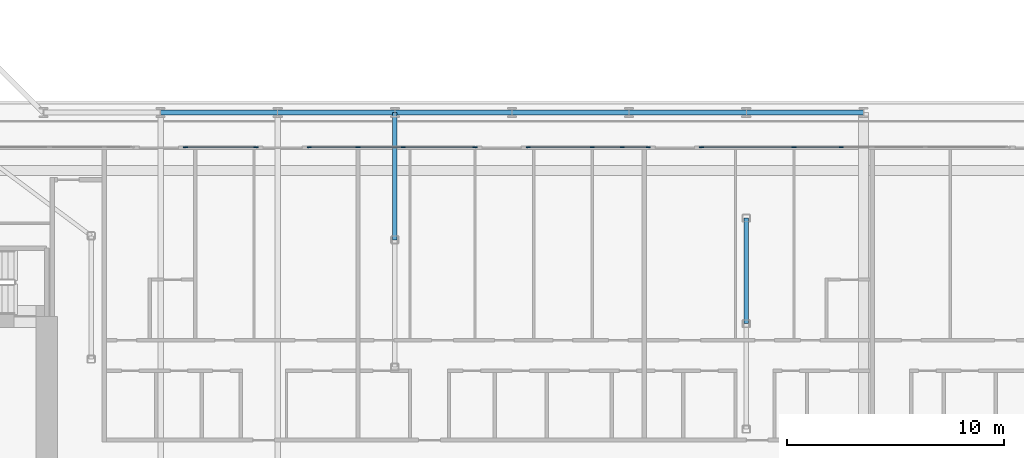
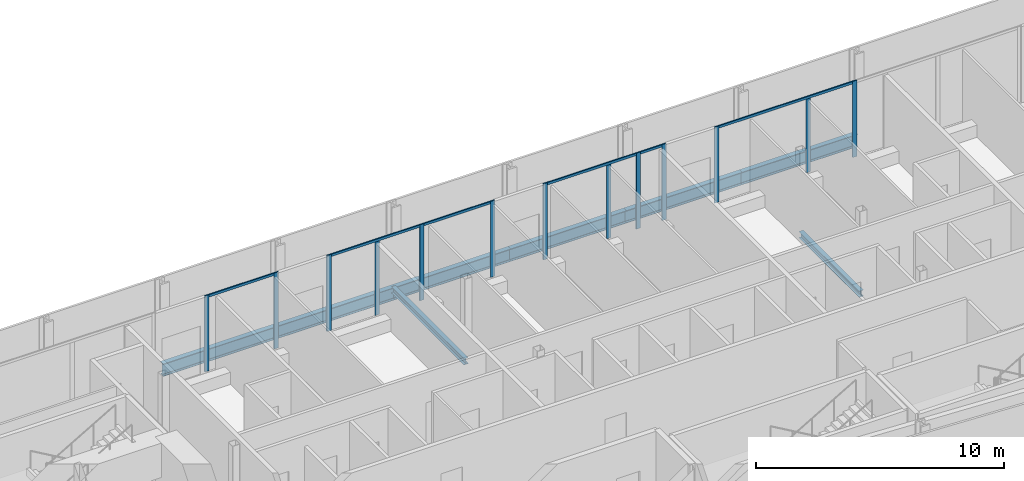
# One storey, part 6 of 28: 19 members, 8 beams, 6 elements without a shape of their own.
"""IFC4 building model written with IfcOpenShell, lengths in metres."""

import ifcopenshell
import ifcopenshell.guid

model = None  # the IFC model being written
_history = None  # IfcOwnerHistory: only IFC2X3 demands one
_inside = {}  # id of a spatial element -> (the spatial element, [elements in it])
_under = {}  # id of a project, library or spatial element -> (it, [spatial elements below it])
_declared = {}  # id of a project -> (the project, [libraries it declares])
_typed = {}  # id of a type object -> (the type object, [elements of that type])
_made_of = {}  # id of a material, layer set ... -> (it, [elements and type objects made of it])


def new_model(schema):
    """Start an empty IFC model of exactly this schema.

    Asked for "IFC4X3", IfcOpenShell would pick the latest addendum, in which some entities
    have other attributes; the version numbers below select the first issue.
    IFC2X3 requires an IfcOwnerHistory on every rooted entity: one is made here for all.
    """
    global model, _history
    if schema == "IFC4X3":
        model = ifcopenshell.file(schema_version=(4, 3, 0, 0))
    else:
        model = ifcopenshell.file(schema=schema)
    _inside.clear()
    _under.clear()
    _declared.clear()
    _typed.clear()
    _made_of.clear()
    _history = None
    if model.schema == "IFC2X3":
        org = make("IfcOrganization", Name="unknown")
        user = make(
            "IfcPersonAndOrganization",
            ThePerson=make("IfcPerson", FamilyName="unknown"),
            TheOrganization=org,
        )
        app = make(
            "IfcApplication",
            ApplicationDeveloper=org,
            Version="unknown",
            ApplicationFullName="unknown",
            ApplicationIdentifier="unknown",
        )
        _history = make(
            "IfcOwnerHistory",
            OwningUser=user,
            OwningApplication=app,
            ChangeAction="ADDED",
            CreationDate=0,
        )
    return model


def make(cls, **values):
    """One entity of the class cls with the attributes given. An attribute that is None is left unset."""
    return model.create_entity(
        cls, **{name: value for name, value in values.items() if value is not None}
    )


def rooted(cls, **values):
    """An entity with a GlobalId (a new one), such as an element, a storey or a relation."""
    return make(cls, GlobalId=ifcopenshell.guid.new(), OwnerHistory=_history, **values)


def si_unit(unit_type, name, prefix=None):
    """IfcSIUnit, for example si_unit("LENGTHUNIT", "METRE", prefix="MILLI")."""
    return make("IfcSIUnit", UnitType=unit_type, Prefix=prefix, Name=name)


def assignment(units):
    """IfcUnitAssignment: the units of a project."""
    return None if units is None else make("IfcUnitAssignment", Units=units)


def point(xyz):
    """IfcCartesianPoint."""
    return None if xyz is None else make("IfcCartesianPoint", Coordinates=xyz)


def direction(xyz):
    """IfcDirection."""
    return None if xyz is None else make("IfcDirection", DirectionRatios=xyz)


def frame(location, z_axis=None, x_axis=None):
    """IfcAxis2Placement3D, a coordinate frame: its origin and axes. An axis left out is left unset."""
    return make(
        "IfcAxis2Placement3D",
        Location=point(location),
        Axis=direction(z_axis),
        RefDirection=direction(x_axis),
    )


def frame_2d(location, x_axis=None):
    """IfcAxis2Placement2D, a coordinate frame in the plane: its origin and x axis."""
    return make(
        "IfcAxis2Placement2D", Location=point(location), RefDirection=direction(x_axis)
    )


def origin():
    """The frame at (0, 0, 0) with its axes left unset."""
    return frame((0.0, 0.0, 0.0))


def origin_2d():
    """The frame at (0, 0) in the plane with its x axis left unset."""
    return frame_2d((0.0, 0.0))


def place(relative_to, where):
    """IfcLocalPlacement: puts the frame where relative to a parent placement (None: the world)."""
    return make(
        "IfcLocalPlacement", PlacementRelTo=relative_to, RelativePlacement=where
    )


def context(
    kind, dimensions, precision=None, world=None, true_north=None, identifier=None
):
    """IfcGeometricRepresentationContext, for example the 3D "Model" context."""
    return make(
        "IfcGeometricRepresentationContext",
        ContextIdentifier=identifier,
        ContextType=kind,
        CoordinateSpaceDimension=dimensions,
        Precision=precision,
        WorldCoordinateSystem=world,
        TrueNorth=true_north,
    )


def subcontext(parent, identifier, kind, view, scale=None):
    """IfcGeometricRepresentationSubContext, for example "Body" below "Model"."""
    return make(
        "IfcGeometricRepresentationSubContext",
        ContextIdentifier=identifier,
        ContextType=kind,
        ParentContext=parent,
        TargetScale=scale,
        TargetView=view,
    )


def project(units=None, contexts=None):
    """IfcProject with its units and contexts."""
    return rooted(
        "IfcProject",
        Name="project",
        RepresentationContexts=contexts,
        UnitsInContext=assignment(units),
    )


def spatial(cls, under=None, at=None, **own):
    """A site, building, storey or space (cls), placed at a placement, below another one or the project."""
    s = rooted(cls, ObjectPlacement=at, **own)
    if under is not None:
        _under.setdefault(under.id(), (under, []))[1].append(s)
    return s


def profile(cls, at=None, kind="AREA", **sizes):
    """A parametric profile (cls). Its sizes go by their IFC names, for example OverallWidth=200.0."""
    return make(cls, ProfileType=kind, Position=at, **sizes)


def rectangle(**sizes):
    """IfcRectangleProfileDef."""
    return profile("IfcRectangleProfileDef", **sizes)


def i_section(**sizes):
    """IfcIShapeProfileDef."""
    return profile("IfcIShapeProfileDef", **sizes)


def extrude(swept, where, along, depth):
    """IfcExtrudedAreaSolid: the profile swept, set in the frame where, extruded along a direction by depth."""
    return make(
        "IfcExtrudedAreaSolid",
        SweptArea=swept,
        Position=where,
        ExtrudedDirection=direction(along),
        Depth=depth,
    )


def shape(context_of_items, identifier, shape_type, items):
    """IfcShapeRepresentation: the items that make up one representation, for example the "Body"."""
    return make(
        "IfcShapeRepresentation",
        ContextOfItems=context_of_items,
        RepresentationIdentifier=identifier,
        RepresentationType=shape_type,
        Items=items,
    )


def material(Name=None, Category=None):
    """IfcMaterial."""
    return make("IfcMaterial", Name=Name, Category=Category)


def layer(
    of_material, thickness, ventilated=None, Name=None, Category=None, Priority=None
):
    """IfcMaterialLayer: one layer of a wall or slab, of a material (None: an air gap)."""
    return make(
        "IfcMaterialLayer",
        Material=of_material,
        LayerThickness=thickness,
        IsVentilated=ventilated,
        Name=Name,
        Category=Category,
        Priority=Priority,
    )


def layer_set(layers, Name=None):
    """IfcMaterialLayerSet."""
    return make("IfcMaterialLayerSet", MaterialLayers=layers, LayerSetName=Name)


def material_profile(
    of_material, cross_section, Name=None, Category=None, Priority=None
):
    """IfcMaterialProfile: a cross section and its material."""
    return make(
        "IfcMaterialProfile",
        Name=Name,
        Material=of_material,
        Profile=cross_section,
        Priority=Priority,
        Category=Category,
    )


def profile_set(profiles, Name=None, composite=None):
    """IfcMaterialProfileSet."""
    return make(
        "IfcMaterialProfileSet",
        Name=Name,
        MaterialProfiles=profiles,
        CompositeProfile=composite,
    )


def made_of(thing, what):
    """Note that an element or type object is made of a material, layer set ...; save() writes the relation."""
    if what is not None:
        _made_of.setdefault(what.id(), (what, []))[1].append(thing)
    return thing


def type_object(cls, material=None, **own):
    """A type object (cls), such as IfcWallType, which elements share."""
    return made_of(rooted(cls, **own), material)


def element(
    cls,
    number,
    at=None,
    inside=None,
    cuts=None,
    type_object=None,
    material=None,
    context=None,
    identifier="Body",
    shape_type=None,
    held_by="IfcProductDefinitionShape",
    body=None,
    shapes=None,
    **own,
):
    """One element of the class cls, such as IfcWall. Its Tag is "e" and its number.

    at: its placement. inside: the storey or other place that contains it. cuts: it is an
    opening in that element (IfcRelVoidsElement). A single representation is given by context,
    identifier, shape_type and body (its items); several are given by shapes. held_by: the class
    of the entity that holds the representations. save() writes the other relations.
    """
    e = rooted(cls, Tag="e%d" % number, ObjectPlacement=at, **own)
    if body is not None:
        shapes = [shape(context, identifier, shape_type, body)]
    if shapes is not None:
        e.Representation = make(held_by, Representations=shapes)
    if inside is not None:
        _inside.setdefault(inside.id(), (inside, []))[1].append(e)
    if cuts is not None:
        rooted(
            "IfcRelVoidsElement", RelatingBuildingElement=cuts, RelatedOpeningElement=e
        )
    if type_object is not None:
        _typed.setdefault(type_object.id(), (type_object, []))[1].append(e)
    return made_of(e, material)


def aggregate(whole, parts):
    """IfcRelAggregates: a whole, such as a stair, and the parts it consists of."""
    return rooted("IfcRelAggregates", RelatingObject=whole, RelatedObjects=parts)


def save(model, path):
    """Write the relations noted so far, then the file.

    IfcRelAggregates (storeys below a building ...), IfcRelContainedInSpatialStructure (elements
    in a storey), IfcRelDefinesByType, IfcRelAssociatesMaterial and IfcRelDeclares: one each for
    every whole, place, type object, material and project.
    """
    for whole, parts in _under.values():
        aggregate(whole, parts)
    for where, things in _inside.values():
        rooted(
            "IfcRelContainedInSpatialStructure",
            RelatedElements=things,
            RelatingStructure=where,
        )
    for kind, things in _typed.values():
        rooted("IfcRelDefinesByType", RelatedObjects=things, RelatingType=kind)
    for what, things in _made_of.values():
        rooted("IfcRelAssociatesMaterial", RelatedObjects=things, RelatingMaterial=what)
    for by, libraries in _declared.values():
        rooted("IfcRelDeclares", RelatingContext=by, RelatedDefinitions=libraries)
    model.write(path)


model = new_model("IFC4")

# Units and contexts
model_context = context("Model", 3, precision=1e-05, world=origin(), true_north=direction((0.0, 1.0)))
body_context = subcontext(model_context, "Body", "Model", "MODEL_VIEW")
ifc_project = project(units=[si_unit("LENGTHUNIT", "METRE"), si_unit("AREAUNIT", "SQUARE_METRE"), si_unit("VOLUMEUNIT", "CUBIC_METRE"), si_unit("PLANEANGLEUNIT", "RADIAN"), si_unit("MASSUNIT", "GRAM", prefix="KILO")], contexts=[model_context])

# Site, building, storey
site_placement = place(None, origin())
site = spatial("IfcSite", under=ifc_project, at=site_placement, CompositionType="ELEMENT")
building_placement = place(site_placement, origin())
building = spatial("IfcBuilding", under=site, at=building_placement, Name="Kheshtan School and Residences Tower", CompositionType="ELEMENT")
storey_placement = place(building_placement, frame((0.0, 0.0, 77.300048828125)))
storey = spatial("IfcBuildingStorey", under=building, at=storey_placement, Name="L18", CompositionType="ELEMENT", Elevation=77.300048828125)

# Beams
ifc_material_1 = material(Name="Steel ASTM A992 Grade 50", Category="steel")
ifc_material_profile_1 = material_profile(ifc_material_1, i_section(OverallWidth=0.202880859375, OverallDepth=0.302978515625, WebThickness=0.007568359375, FlangeThickness=0.01318359375, FilletRadius=0.009033203125, at=origin_2d()), Name="W310x60")
ifc_profile_set_1 = profile_set([ifc_material_profile_1], Name="Steel ASTM A992 Grade 50")
beam_type_1 = type_object("IfcBeamType", Name="Beam FB1 W310x60 ASTM A992 Grade 50", PredefinedType="BEAM", material=ifc_profile_set_1)
beam_1_placement = place(storey_placement, frame((69.199951171875, 45.60009765625, -0.301513671875), z_axis=(0.0, -1.0, 0.0), x_axis=(1.0, 0.0, 0.0)))
element("IfcBeam", 1, at=beam_1_placement, inside=storey, type_object=beam_type_1, Name="Floor beam C064", PredefinedType="BEAM", context=body_context, shape_type="SweptSolid", body=[
    extrude(i_section(OverallWidth=0.202880859375, OverallDepth=0.302978515625, WebThickness=0.007568359375, FlangeThickness=0.01318359375, FilletRadius=0.009033203125, at=origin_2d()), origin(), (0.0, 0.0, 1.0), 5.8681640625),
])
beam_2_placement = place(storey_placement, frame((85.39990234375, 40.735107421875, -0.301513671875), z_axis=(0.0, -1.0, 0.0), x_axis=(1.0, 0.0, 0.0)))
element("IfcBeam", 2, at=beam_2_placement, inside=storey, type_object=beam_type_1, Name="Floor beam IC", PredefinedType="BEAM", context=body_context, shape_type="SweptSolid", body=[
    extrude(i_section(OverallWidth=0.202880859375, OverallDepth=0.302978515625, WebThickness=0.007568359375, FlangeThickness=0.01318359375, FilletRadius=0.009033203125, at=origin_2d()), origin(), (0.0, 0.0, 1.0), 4.864990234375),
])
ifc_material_profile_2 = material_profile(ifc_material_1, i_section(OverallWidth=0.22998046875, OverallDepth=0.616943359375, WebThickness=0.01318359375, FlangeThickness=0.022216796875, FilletRadius=0.0185546875, at=origin_2d()), Name="W610x140")
ifc_profile_set_2 = profile_set([ifc_material_profile_2], Name="Steel ASTM A992 Grade 50")
beam_type_2 = type_object("IfcBeamType", Name="Beam SP1 W610x140 ASTM A992 Grade 50", PredefinedType="BEAM", material=ifc_profile_set_2)
beam_3_placement = place(storey_placement, frame((58.39990234375, 45.60009765625, -0.45849609375), z_axis=(1.0, 0.0, 0.0), x_axis=(0.0, 1.0, 0.0)))
element("IfcBeam", 3, at=beam_3_placement, inside=storey, type_object=beam_type_2, Name="Spandrel beam C062-C063", PredefinedType="BEAM", context=body_context, shape_type="SweptSolid", body=[
    extrude(i_section(OverallWidth=0.22998046875, OverallDepth=0.616943359375, WebThickness=0.01318359375, FlangeThickness=0.022216796875, FilletRadius=0.0185546875, at=origin_2d()), origin(), (0.0, 0.0, 1.0), 5.400146484375),
])
beam_4_placement = place(storey_placement, frame((63.800048828125, 45.60009765625, -0.45849609375), z_axis=(1.0, 0.0, 0.0), x_axis=(0.0, 1.0, 0.0)))
element("IfcBeam", 4, at=beam_4_placement, inside=storey, type_object=beam_type_2, Name="Spandrel beam C063-C064", PredefinedType="BEAM", context=body_context, shape_type="SweptSolid", body=[
    extrude(i_section(OverallWidth=0.22998046875, OverallDepth=0.616943359375, WebThickness=0.01318359375, FlangeThickness=0.022216796875, FilletRadius=0.0185546875, at=origin_2d()), origin(), (0.0, 0.0, 1.0), 5.39990234375),
])
beam_5_placement = place(storey_placement, frame((69.199951171875, 45.60009765625, -0.45849609375), z_axis=(1.0, 0.0, 0.0), x_axis=(0.0, 1.0, 0.0)))
element("IfcBeam", 5, at=beam_5_placement, inside=storey, type_object=beam_type_2, Name="Spandrel beam C064-C065", PredefinedType="BEAM", context=body_context, shape_type="SweptSolid", body=[
    extrude(i_section(OverallWidth=0.22998046875, OverallDepth=0.616943359375, WebThickness=0.01318359375, FlangeThickness=0.022216796875, FilletRadius=0.0185546875, at=origin_2d()), origin(), (0.0, 0.0, 1.0), 5.400146484375),
])
for number, where, z_axis, x_axis, name in (
    (6, (74.60009765625, 45.60009765625, -0.45849609375), (1.0, 0.0, 0.0), (0.0, 1.0, 0.0), "Spandrel beam C065-C066"),
    (7, (80.0, 45.60009765625, -0.45849609375), (1.0, 0.0, 0.0), (0.0, 1.0, 0.0), "Spandrel beam C066-C067"),
):
    element("IfcBeam", number, at=place(storey_placement, frame(where, z_axis=z_axis, x_axis=x_axis)), inside=storey, type_object=beam_type_2, Name=name, PredefinedType="BEAM", context=body_context, shape_type="SweptSolid", body=[
        extrude(i_section(OverallWidth=0.22998046875, OverallDepth=0.616943359375, WebThickness=0.01318359375, FlangeThickness=0.022216796875, FilletRadius=0.0185546875, at=origin_2d()), origin(), (0.0, 0.0, 1.0), 5.39990234375),
    ])
beam_6_placement = place(storey_placement, frame((85.39990234375, 45.60009765625, -0.45849609375), z_axis=(1.0, 0.0, 0.0), x_axis=(0.0, 1.0, 0.0)))
element("IfcBeam", 8, at=beam_6_placement, inside=storey, type_object=beam_type_2, Name="Spandrel beam C067-C068", PredefinedType="BEAM", context=body_context, shape_type="SweptSolid", body=[
    extrude(i_section(OverallWidth=0.22998046875, OverallDepth=0.616943359375, WebThickness=0.01318359375, FlangeThickness=0.022216796875, FilletRadius=0.0185546875, at=origin_2d()), origin(), (0.0, 0.0, 1.0), 5.400146484375),
])

# Curtain wall, members
ifc_material_2 = material(Name="Clear low-e glass in thermally broken aluminium frame", Category="aluminium")
ifc_layer = layer(ifc_material_2, 0.199951171875)
ifc_layer_set = layer_set([ifc_layer], Name="Curtain wall CW-L")
curtain_wall_type = type_object("IfcCurtainWallType", Name="Curtain wall CW-L", PredefinedType="NOTDEFINED", material=ifc_layer_set)
curtain_wall_1_placement = place(storey_placement, origin())
curtain_wall_1 = element("IfcCurtainWall", 9, at=curtain_wall_1_placement, inside=storey, type_object=curtain_wall_type, Name="Curtain wall CWL12n", PredefinedType="NOTDEFINED")
ifc_material_3 = material(Name="Thermally broken aluminium, dark bronze anodised", Category="aluminium")
ifc_material_profile_3 = material_profile(ifc_material_3, rectangle(XDim=0.06005859375, YDim=0.199951171875, at=origin_2d()), Name="CW-L mullion 60x200")
ifc_profile_set_3 = profile_set([ifc_material_profile_3], Name="Thermally broken aluminium, dark bronze anodised")
member_type_1 = type_object("IfcMemberType", Name="CW-L mullion 60x200", PredefinedType="MULLION", material=ifc_profile_set_3)
member_1_placement = place(storey_placement, frame((59.553955078125, 44.0, 0.0), z_axis=(0.0, 0.0, 1.0), x_axis=(0.0, 1.0, 0.0)))
member_1 = element("IfcMember", 10, at=member_1_placement, type_object=member_type_1, Name="CWL12n mullion 1", PredefinedType="MULLION", context=body_context, shape_type="SweptSolid", body=[
    extrude(rectangle(XDim=0.06005859375, YDim=0.199951171875, at=origin_2d()), origin(), (0.0, 0.0, 1.0), 3.75),
])
member_2_placement = place(storey_placement, frame((62.7939453125, 44.0, 0.0), z_axis=(0.0, 0.0, 1.0), x_axis=(0.0, 1.0, 0.0)))
member_2 = element("IfcMember", 11, at=member_2_placement, type_object=member_type_1, Name="CWL12n mullion 2", PredefinedType="MULLION", context=body_context, shape_type="SweptSolid", body=[
    extrude(rectangle(XDim=0.06005859375, YDim=0.199951171875, at=origin_2d()), origin(), (0.0, 0.0, 1.0), 3.75),
])

curtain_wall_2_placement = place(storey_placement, origin())
curtain_wall_2 = element("IfcCurtainWall", 12, at=curtain_wall_2_placement, inside=storey, type_object=curtain_wall_type, Name="Curtain wall CWL12o", PredefinedType="NOTDEFINED")
member_3_placement = place(storey_placement, frame((65.25390625, 44.0, 0.0), z_axis=(0.0, 0.0, 1.0), x_axis=(0.0, 1.0, 0.0)))
member_3 = element("IfcMember", 13, at=member_3_placement, type_object=member_type_1, Name="CWL12o mullion 1", PredefinedType="MULLION", context=body_context, shape_type="SweptSolid", body=[
    extrude(rectangle(XDim=0.06005859375, YDim=0.199951171875, at=origin_2d()), origin(), (0.0, 0.0, 1.0), 3.75),
])
member_4_placement = place(storey_placement, frame((67.5, 44.0, 0.0), z_axis=(0.0, 0.0, 1.0), x_axis=(0.0, 1.0, 0.0)))
member_4 = element("IfcMember", 14, at=member_4_placement, type_object=member_type_1, Name="CWL12o mullion 2", PredefinedType="MULLION", context=body_context, shape_type="SweptSolid", body=[
    extrude(rectangle(XDim=0.06005859375, YDim=0.199951171875, at=origin_2d()), origin(), (0.0, 0.0, 1.0), 3.6298828125),
])
member_5_placement = place(storey_placement, frame((69.587890625, 44.0, 0.0), z_axis=(0.0, 0.0, 1.0), x_axis=(0.0, 1.0, 0.0)))
member_5 = element("IfcMember", 15, at=member_5_placement, type_object=member_type_1, Name="CWL12o mullion 3", PredefinedType="MULLION", context=body_context, shape_type="SweptSolid", body=[
    extrude(rectangle(XDim=0.06005859375, YDim=0.199951171875, at=origin_2d()), origin(), (0.0, 0.0, 1.0), 3.75),
])

# Curtain wall, member
curtain_wall_3_placement = place(storey_placement, origin())
curtain_wall_3 = element("IfcCurtainWall", 16, at=curtain_wall_3_placement, inside=storey, type_object=curtain_wall_type, Name="Curtain wall CWL12n", PredefinedType="NOTDEFINED")
member_6_placement = place(storey_placement, frame((72.887939453125, 44.0, 0.0), z_axis=(0.0, 0.0, 1.0), x_axis=(0.0, 1.0, 0.0)))
member_6 = element("IfcMember", 17, at=member_6_placement, type_object=member_type_1, Name="CWL12n mullion 2", PredefinedType="MULLION", context=body_context, shape_type="SweptSolid", body=[
    extrude(rectangle(XDim=0.06005859375, YDim=0.199951171875, at=origin_2d()), origin(), (0.0, 0.0, 1.0), 3.75),
])

# Curtain wall, members
curtain_wall_4_placement = place(storey_placement, origin())
curtain_wall_4 = element("IfcCurtainWall", 18, at=curtain_wall_4_placement, inside=storey, type_object=curtain_wall_type, Name="Curtain wall CWL12o", PredefinedType="NOTDEFINED")
member_7_placement = place(storey_placement, frame((75.347900390625, 44.0, 0.0), z_axis=(0.0, 0.0, 1.0), x_axis=(0.0, 1.0, 0.0)))
member_7 = element("IfcMember", 19, at=member_7_placement, type_object=member_type_1, Name="CWL12o mullion 1", PredefinedType="MULLION", context=body_context, shape_type="SweptSolid", body=[
    extrude(rectangle(XDim=0.06005859375, YDim=0.199951171875, at=origin_2d()), origin(), (0.0, 0.0, 1.0), 3.75),
])
member_8_placement = place(storey_placement, frame((78.300048828125, 44.0, 0.0), z_axis=(0.0, 0.0, 1.0), x_axis=(0.0, 1.0, 0.0)))
member_8 = element("IfcMember", 20, at=member_8_placement, type_object=member_type_1, Name="CWL12o mullion 2", PredefinedType="MULLION", context=body_context, shape_type="SweptSolid", body=[
    extrude(rectangle(XDim=0.06005859375, YDim=0.199951171875, at=origin_2d()), origin(), (0.0, 0.0, 1.0), 3.6298828125),
])
member_9_placement = place(storey_placement, frame((79.681884765625, 44.0, 0.0), z_axis=(0.0, 0.0, 1.0), x_axis=(0.0, 1.0, 0.0)))
member_9 = element("IfcMember", 21, at=member_9_placement, type_object=member_type_1, Name="CWL12o mullion 3", PredefinedType="MULLION", context=body_context, shape_type="SweptSolid", body=[
    extrude(rectangle(XDim=0.06005859375, YDim=0.199951171875, at=origin_2d()), origin(), (0.0, 0.0, 1.0), 3.75),
])

# Curtain wall, member
curtain_wall_5_placement = place(storey_placement, origin())
curtain_wall_5 = element("IfcCurtainWall", 22, at=curtain_wall_5_placement, inside=storey, type_object=curtain_wall_type, Name="Curtain wall CWL12b", PredefinedType="NOTDEFINED")
member_10_placement = place(storey_placement, frame((80.882080078125, 44.0, 0.0), z_axis=(0.0, 0.0, 1.0), x_axis=(0.0, 1.0, 0.0)))
member_10 = element("IfcMember", 23, at=member_10_placement, type_object=member_type_1, Name="CWL12b mullion 2", PredefinedType="MULLION", context=body_context, shape_type="SweptSolid", body=[
    extrude(rectangle(XDim=0.06005859375, YDim=0.199951171875, at=origin_2d()), origin(), (0.0, 0.0, 1.0), 3.75),
])

# Curtain wall, members
curtain_wall_6_placement = place(storey_placement, origin())
curtain_wall_6 = element("IfcCurtainWall", 24, at=curtain_wall_6_placement, inside=storey, type_object=curtain_wall_type, Name="Curtain wall CWL12p", PredefinedType="NOTDEFINED")
member_11_placement = place(storey_placement, frame((83.342041015625, 44.0, 0.0), z_axis=(0.0, 0.0, 1.0), x_axis=(0.0, 1.0, 0.0)))
member_11 = element("IfcMember", 25, at=member_11_placement, type_object=member_type_1, Name="CWL12p mullion 1", PredefinedType="MULLION", context=body_context, shape_type="SweptSolid", body=[
    extrude(rectangle(XDim=0.06005859375, YDim=0.199951171875, at=origin_2d()), origin(), (0.0, 0.0, 1.0), 3.75),
])
member_12_placement = place(storey_placement, frame((87.60009765625, 44.0, 0.0), z_axis=(0.0, 0.0, 1.0), x_axis=(0.0, 1.0, 0.0)))
member_12 = element("IfcMember", 26, at=member_12_placement, type_object=member_type_1, Name="CWL12p mullion 2", PredefinedType="MULLION", context=body_context, shape_type="SweptSolid", body=[
    extrude(rectangle(XDim=0.06005859375, YDim=0.199951171875, at=origin_2d()), origin(), (0.0, 0.0, 1.0), 3.6298828125),
])
member_13_placement = place(storey_placement, frame((89.77587890625, 44.0, 0.0), z_axis=(0.0, 0.0, 1.0), x_axis=(0.0, 1.0, 0.0)))
member_13 = element("IfcMember", 27, at=member_13_placement, type_object=member_type_1, Name="CWL12p mullion 3", PredefinedType="MULLION", context=body_context, shape_type="SweptSolid", body=[
    extrude(rectangle(XDim=0.06005859375, YDim=0.199951171875, at=origin_2d()), origin(), (0.0, 0.0, 1.0), 3.75),
])

# Member
ifc_material_profile_4 = material_profile(ifc_material_3, rectangle(XDim=0.06005859375, YDim=0.1201171875, at=origin_2d()), Name="CW-L transom 60x120")
ifc_profile_set_4 = profile_set([ifc_material_profile_4], Name="Thermally broken aluminium, dark bronze anodised")
member_type_2 = type_object("IfcMemberType", Name="CW-L transom 60x120", PredefinedType="USERDEFINED", material=ifc_profile_set_4)
member_14_placement = place(storey_placement, frame((59.583984375, 44.0, 3.68994140625), z_axis=(1.0, 0.0, 0.0), x_axis=(0.0, 1.0, 0.0)))
member_14 = element("IfcMember", 28, at=member_14_placement, type_object=member_type_2, Name="CWL12n transom 1", ObjectType="TRANSOM", PredefinedType="USERDEFINED", context=body_context, shape_type="SweptSolid", body=[
    extrude(rectangle(XDim=0.06005859375, YDim=0.1201171875, at=origin_2d()), origin(), (0.0, 0.0, 1.0), 3.179931640625),
])

aggregate(curtain_wall_1, [member_1, member_2, member_14])

member_15_placement = place(storey_placement, frame((65.283935546875, 44.0, 3.68994140625), z_axis=(1.0, 0.0, 0.0), x_axis=(0.0, 1.0, 0.0)))
member_15 = element("IfcMember", 29, at=member_15_placement, type_object=member_type_2, Name="CWL12o transom 1", ObjectType="TRANSOM", PredefinedType="USERDEFINED", context=body_context, shape_type="SweptSolid", body=[
    extrude(rectangle(XDim=0.06005859375, YDim=0.1201171875, at=origin_2d()), origin(), (0.0, 0.0, 1.0), 4.274169921875),
])

aggregate(curtain_wall_2, [member_3, member_4, member_5, member_15])

member_16_placement = place(storey_placement, frame((69.617919921875, 44.0, 3.68994140625), z_axis=(1.0, 0.0, 0.0), x_axis=(0.0, 1.0, 0.0)))
member_16 = element("IfcMember", 30, at=member_16_placement, type_object=member_type_2, Name="CWL12n transom 1", ObjectType="TRANSOM", PredefinedType="USERDEFINED", context=body_context, shape_type="SweptSolid", body=[
    extrude(rectangle(XDim=0.06005859375, YDim=0.1201171875, at=origin_2d()), origin(), (0.0, 0.0, 1.0), 3.239990234375),
])

aggregate(curtain_wall_3, [member_6, member_16])

member_17_placement = place(storey_placement, frame((75.3779296875, 44.0, 3.68994140625), z_axis=(1.0, 0.0, 0.0), x_axis=(0.0, 1.0, 0.0)))
member_17 = element("IfcMember", 31, at=member_17_placement, type_object=member_type_2, Name="CWL12o transom 1", ObjectType="TRANSOM", PredefinedType="USERDEFINED", context=body_context, shape_type="SweptSolid", body=[
    extrude(rectangle(XDim=0.06005859375, YDim=0.1201171875, at=origin_2d()), origin(), (0.0, 0.0, 1.0), 4.274169921875),
])

aggregate(curtain_wall_4, [member_7, member_8, member_9, member_17])

member_18_placement = place(storey_placement, frame((79.7119140625, 44.0, 3.68994140625), z_axis=(1.0, 0.0, 0.0), x_axis=(0.0, 1.0, 0.0)))
member_18 = element("IfcMember", 32, at=member_18_placement, type_object=member_type_2, Name="CWL12b transom 1", ObjectType="TRANSOM", PredefinedType="USERDEFINED", context=body_context, shape_type="SweptSolid", body=[
    extrude(rectangle(XDim=0.06005859375, YDim=0.1201171875, at=origin_2d()), origin(), (0.0, 0.0, 1.0), 1.14013671875),
])

aggregate(curtain_wall_5, [member_10, member_18])

member_19_placement = place(storey_placement, frame((83.3720703125, 44.0, 3.68994140625), z_axis=(1.0, 0.0, 0.0), x_axis=(0.0, 1.0, 0.0)))
member_19 = element("IfcMember", 33, at=member_19_placement, type_object=member_type_2, Name="CWL12p transom 1", ObjectType="TRANSOM", PredefinedType="USERDEFINED", context=body_context, shape_type="SweptSolid", body=[
    extrude(rectangle(XDim=0.06005859375, YDim=0.1201171875, at=origin_2d()), origin(), (0.0, 0.0, 1.0), 6.3740234375),
])

aggregate(curtain_wall_6, [member_11, member_12, member_13, member_19])

save(model, "model.ifc")
